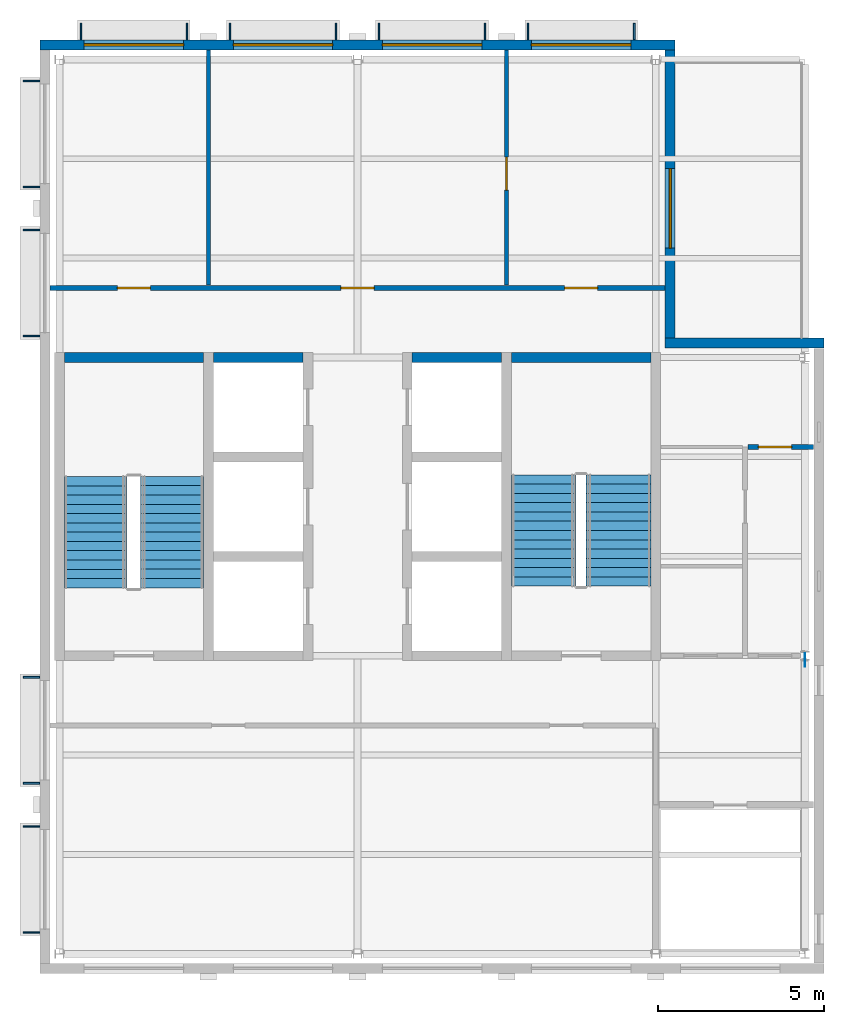
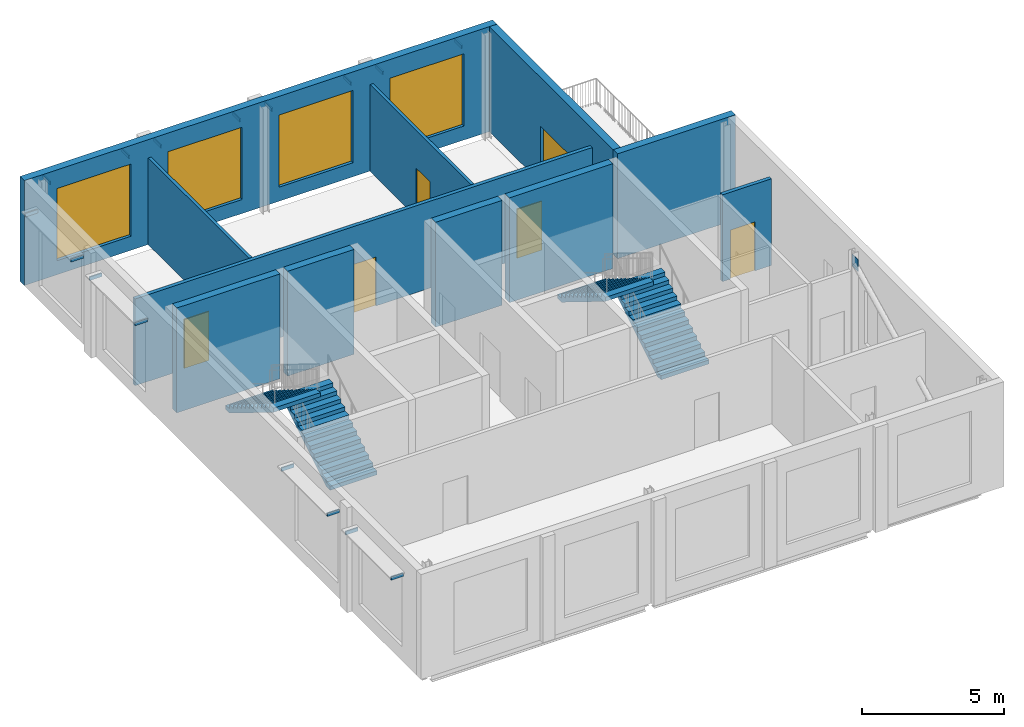
# One storey, part 3 of 5: 18 discrete accessories, 11 walls, 6 doors, 4 stair flights, 4 windows, 10 openings, 2 elements without a shape of their own.
"""IFC4 building model written with IfcOpenShell, lengths in metres."""

from ifc_helpers import new_model, si_unit, direction, frame, frame_2d, origin, origin_2d, place, context, subcontext, project, spatial, polyline, rectangle, outline, extrude, material, layer, layer_set, type_object, element, fill, aggregate, save


model = new_model("IFC4")

# Units and contexts
model_context = context("Model", 3, precision=1e-05, world=origin(), true_north=direction((0.0, 1.0)))
body_context = subcontext(model_context, "Body", "Model", "MODEL_VIEW")
ifc_project = project(units=[si_unit("LENGTHUNIT", "METRE"), si_unit("AREAUNIT", "SQUARE_METRE"), si_unit("VOLUMEUNIT", "CUBIC_METRE"), si_unit("PLANEANGLEUNIT", "RADIAN"), si_unit("MASSUNIT", "GRAM", prefix="KILO")], contexts=[model_context])

# Site, building, storey
site_placement = place(None, origin())
site = spatial("IfcSite", under=ifc_project, at=site_placement, CompositionType="ELEMENT")
building_placement = place(site_placement, origin())
building = spatial("IfcBuilding", under=site, at=building_placement, Name="Hortulan Conservatory and Botanical Research Centre", CompositionType="ELEMENT")
storey_placement = place(building_placement, frame((0.0, 0.0, 65.39990234375)))
storey = spatial("IfcBuildingStorey", under=building, at=storey_placement, Name="L15", CompositionType="ELEMENT", Elevation=65.39990234375)

# Walls
ifc_material_1 = material(Name="Concrete N40 (40 MPa, AS 3600)", Category="concrete")
ifc_layer_1 = layer(ifc_material_1, 0.300048828125)
ifc_layer_set_1 = layer_set([ifc_layer_1], Name="Core Wall 300 N40 FRL 240/120/120")
wall_type_1 = type_object("IfcWallType", Name="Core Wall 300 N40 FRL 240/120/120", PredefinedType="SHEAR", material=ifc_layer_set_1)
wall_1_placement = place(storey_placement, frame((9.14990234375, 18.0, 0.0), z_axis=(0.0, 0.0, 1.0), x_axis=(1.0, 0.0, 0.0)))
element("IfcWall", 1, at=wall_1_placement, inside=storey, type_object=wall_type_1, Name="Reinforced concrete shaft wall", PredefinedType="SHEAR", context=body_context, shape_type="SweptSolid", body=[
    extrude(rectangle(XDim=4.2001953125, YDim=0.300048828125, at=frame_2d((2.10009765625, 0.0))), origin(), (0.0, 0.0, 1.0), 4.5),
])
for number, where, z_axis, x_axis, name in (
    (2, (13.64990234375, 18.0, 0.0), (0.0, 0.0, 1.0), (1.0, 0.0, 0.0), "Reinforced concrete shaft wall"),
    (3, (19.64990234375, 18.0, 0.0), (0.0, 0.0, 1.0), (1.0, 0.0, 0.0), "Reinforced concrete shaft wall"),
):
    element("IfcWall", number, at=place(storey_placement, frame(where, z_axis=z_axis, x_axis=x_axis)), inside=storey, type_object=wall_type_1, Name=name, PredefinedType="SHEAR", context=body_context, shape_type="SweptSolid", body=[
        extrude(rectangle(XDim=2.7001953125, YDim=0.300048828125, at=frame_2d((1.35009765625, 0.0))), origin(), (0.0, 0.0, 1.0), 4.5),
    ])
wall_2_placement = place(storey_placement, frame((22.64990234375, 18.0, 0.0), z_axis=(0.0, 0.0, 1.0), x_axis=(1.0, 0.0, 0.0)))
element("IfcWall", 4, at=wall_2_placement, inside=storey, type_object=wall_type_1, Name="Reinforced concrete shaft wall", PredefinedType="SHEAR", context=body_context, shape_type="SweptSolid", body=[
    extrude(rectangle(XDim=4.2001953125, YDim=0.300048828125, at=frame_2d((2.10009765625, 0.0))), origin(), (0.0, 0.0, 1.0), 4.5),
])

# Wall, openings, doors
ifc_material_2 = material(Name="Plasterboard on steel studs", Category="steel")
ifc_layer_2 = layer(ifc_material_2, 0.14990234375)
ifc_layer_set_2 = layer_set([ifc_layer_2], Name="Corridor Partition 150")
wall_type_2 = type_object("IfcWallType", Name="Corridor Partition 150", PredefinedType="PARTITIONING", material=ifc_layer_set_2)
wall_3_placement = place(storey_placement, frame((8.72412109375, 20.10009765625, 0.0), z_axis=(0.0, 0.0, 1.0), x_axis=(1.0, 0.0, 0.0)))
wall_3 = element("IfcWall", 5, at=wall_3_placement, inside=storey, type_object=wall_type_2, Name="Corridor partition", PredefinedType="PARTITIONING", context=body_context, shape_type="SweptSolid", body=[
    extrude(rectangle(XDim=18.5517578125, YDim=0.14990234375, at=frame_2d((9.27587890625, 0.0))), origin(), (0.0, 0.0, 1.0), 3.72314453125),
])
opening_1_placement = place(wall_3_placement, frame((2.02587890625, 0.0, 0.0)))
opening_1 = element("IfcOpeningElement", 6, at=opening_1_placement, cuts=wall_3, Name="Opening DT1", PredefinedType="OPENING", context=body_context, shape_type="SweptSolid", body=[
    extrude(rectangle(XDim=1.0, YDim=2.10009765625, at=frame_2d((0.5, 1.050048828125))), frame((0.0, 0.0849609375, 0.0), z_axis=(0.0, -1.0, 0.0), x_axis=(1.0, 0.0, 0.0)), (0.0, 0.0, 1.0), 0.169921875),
])
opening_2_placement = place(wall_3_placement, frame((8.77587890625, 0.0, 0.0)))
opening_2 = element("IfcOpeningElement", 7, at=opening_2_placement, cuts=wall_3, Name="Opening DT1", PredefinedType="OPENING", context=body_context, shape_type="SweptSolid", body=[
    extrude(rectangle(XDim=1.0, YDim=2.10009765625, at=frame_2d((0.5, 1.050048828125))), frame((0.0, 0.0849609375, 0.0), z_axis=(0.0, -1.0, 0.0), x_axis=(1.0, 0.0, 0.0)), (0.0, 0.0, 1.0), 0.169921875),
])
opening_3_placement = place(wall_3_placement, frame((15.52587890625, 0.0, 0.0)))
opening_3 = element("IfcOpeningElement", 8, at=opening_3_placement, cuts=wall_3, Name="Opening DT1", PredefinedType="OPENING", context=body_context, shape_type="SweptSolid", body=[
    extrude(rectangle(XDim=1.0, YDim=2.10009765625, at=frame_2d((0.5, 1.050048828125))), frame((0.0, 0.0849609375, 0.0), z_axis=(0.0, -1.0, 0.0), x_axis=(1.0, 0.0, 0.0)), (0.0, 0.0, 1.0), 0.169921875),
])
ifc_material_3 = material(Name="Timber door leaf in timber frame", Category="wood")
door_type_1 = type_object("IfcDoorType", Name="Single Door 1000x2100", OperationType="NOTDEFINED", PredefinedType="DOOR", material=ifc_material_3)
door_1_placement = place(opening_1_placement, origin())
door_1 = element("IfcDoor", 9, at=door_1_placement, inside=storey, type_object=door_type_1, Name="Door DT1 Dry Store and Coolroom", OperationType="SINGLE_SWING_LEFT", OverallHeight=2.10009765625, OverallWidth=1.0, PredefinedType="DOOR", context=body_context, shape_type="SweptSolid", body=[
    extrude(rectangle(XDim=1.0, YDim=2.10009765625, at=frame_2d((0.5, 1.050048828125))), frame((0.0, 0.02490234375, 0.0), z_axis=(0.0, -1.0, 0.0), x_axis=(1.0, 0.0, 0.0)), (0.0, 0.0, 1.0), 0.050048828125),
])
fill(opening_1, door_1)
door_2_placement = place(opening_2_placement, origin())
door_2 = element("IfcDoor", 10, at=door_2_placement, inside=storey, type_object=door_type_1, Name="Door DT1 Sky Cafe", OperationType="SINGLE_SWING_RIGHT", OverallHeight=2.10009765625, OverallWidth=1.0, PredefinedType="DOOR", context=body_context, shape_type="SweptSolid", body=[
    extrude(rectangle(XDim=1.0, YDim=2.10009765625, at=frame_2d((0.5, 1.050048828125))), frame((0.0, 0.02490234375, 0.0), z_axis=(0.0, -1.0, 0.0), x_axis=(1.0, 0.0, 0.0)), (0.0, 0.0, 1.0), 0.050048828125),
])
fill(opening_2, door_2)
door_3_placement = place(opening_3_placement, origin())
door_3 = element("IfcDoor", 11, at=door_3_placement, inside=storey, type_object=door_type_1, Name="Door DT1 Cafe Kitchen and Servery", OperationType="SINGLE_SWING_LEFT", OverallHeight=2.10009765625, OverallWidth=1.0, PredefinedType="DOOR", context=body_context, shape_type="SweptSolid", body=[
    extrude(rectangle(XDim=1.0, YDim=2.10009765625, at=frame_2d((0.5, 1.050048828125))), frame((0.0, 0.02490234375, 0.0), z_axis=(0.0, -1.0, 0.0), x_axis=(1.0, 0.0, 0.0)), (0.0, 0.0, 1.0), 0.050048828125),
])
fill(opening_3, door_3)

# Wall, opening, door
ifc_material_4 = material(Name="Fire-rated plasterboard on steel studs", Category="steel")
ifc_layer_3 = layer(ifc_material_4, 0.14990234375)
ifc_layer_set_3 = layer_set([ifc_layer_3], Name="Lobby Partition 150")
wall_type_3 = type_object("IfcWallType", Name="Lobby Partition 150", PredefinedType="PARTITIONING", material=ifc_layer_set_3)
wall_4_placement = place(storey_placement, frame((29.784912109375, 15.300048828125, 0.0), z_axis=(0.0, 0.0, 1.0), x_axis=(1.0, 0.0, 0.0)))
wall_4 = element("IfcWall", 12, at=wall_4_placement, inside=storey, type_object=wall_type_3, Name="Lobby partition", PredefinedType="PARTITIONING", context=body_context, shape_type="SweptSolid", body=[
    extrude(rectangle(XDim=1.97998046875, YDim=0.14990234375, at=frame_2d((0.989990234375, 0.0))), origin(), (0.0, 0.0, 1.0), 3.72314453125),
])
opening_4_placement = place(wall_4_placement, frame((0.31494140625, 0.0, 0.0)))
opening_4 = element("IfcOpeningElement", 13, at=opening_4_placement, cuts=wall_4, Name="Opening DT4", PredefinedType="OPENING", context=body_context, shape_type="SweptSolid", body=[
    extrude(rectangle(XDim=1.0, YDim=2.10009765625, at=frame_2d((0.5, 1.050048828125))), frame((0.0, 0.0849609375, 0.0), z_axis=(0.0, -1.0, 0.0), x_axis=(1.0, 0.0, 0.0)), (0.0, 0.0, 1.0), 0.169921875),
])
ifc_material_5 = material(Name="Steel door leaf, insulated", Category="steel")
door_type_2 = type_object("IfcDoorType", Name="Fire Door 1000x2100 FRL -/60/30", OperationType="NOTDEFINED", PredefinedType="DOOR", material=ifc_material_5)
door_4_placement = place(opening_4_placement, origin())
door_4 = element("IfcDoor", 14, at=door_4_placement, inside=storey, type_object=door_type_2, Name="Door DT4 Men's WC", OperationType="SINGLE_SWING_RIGHT", OverallHeight=2.10009765625, OverallWidth=1.0, PredefinedType="DOOR", context=body_context, shape_type="SweptSolid", body=[
    extrude(rectangle(XDim=1.0, YDim=2.10009765625, at=frame_2d((0.5, 1.050048828125))), frame((0.0, 0.02490234375, 0.0), z_axis=(0.0, -1.0, 0.0), x_axis=(1.0, 0.0, 0.0)), (0.0, 0.0, 1.0), 0.050048828125),
])
fill(opening_4, door_4)

# Wall
ifc_layer_4 = layer(ifc_material_2, 0.125)
ifc_layer_set_4 = layer_set([ifc_layer_4], Name="Partition 125")
wall_type_4 = type_object("IfcWallType", Name="Partition 125", PredefinedType="PARTITIONING", material=ifc_layer_set_4)
wall_5_placement = place(storey_placement, frame((13.5, 20.18505859375, 0.0), z_axis=(0.0, 0.0, 1.0), x_axis=(0.0, 1.0, 0.0)))
element("IfcWall", 15, at=wall_5_placement, inside=storey, type_object=wall_type_4, Name="Partition", PredefinedType="PARTITIONING", context=body_context, shape_type="SweptSolid", body=[
    extrude(rectangle(XDim=7.0908203125, YDim=0.125, at=frame_2d((3.54541015625, 0.0))), origin(), (0.0, 0.0, 1.0), 3.72314453125),
])

# Wall, opening, door
wall_6_placement = place(storey_placement, frame((22.5, 20.18505859375, 0.0), z_axis=(0.0, 0.0, 1.0), x_axis=(0.0, 1.0, 0.0)))
wall_6 = element("IfcWall", 16, at=wall_6_placement, inside=storey, type_object=wall_type_4, Name="Partition", PredefinedType="PARTITIONING", context=body_context, shape_type="SweptSolid", body=[
    extrude(rectangle(XDim=7.0908203125, YDim=0.125, at=frame_2d((3.54541015625, 0.0))), origin(), (0.0, 0.0, 1.0), 3.72314453125),
])
opening_5_placement = place(wall_6_placement, frame((2.864990234375, 0.0, 0.0)))
opening_5 = element("IfcOpeningElement", 17, at=opening_5_placement, cuts=wall_6, Name="Opening DT1", PredefinedType="OPENING", context=body_context, shape_type="SweptSolid", body=[
    extrude(rectangle(XDim=1.0, YDim=2.10009765625, at=frame_2d((0.5, 1.050048828125))), frame((0.0, 0.072509765625, 0.0), z_axis=(0.0, -1.0, 0.0), x_axis=(1.0, 0.0, 0.0)), (0.0, 0.0, 1.0), 0.14501953125),
])
door_5_placement = place(opening_5_placement, frame((1.0, 0.0, 0.0), z_axis=(0.0, 0.0, 1.0), x_axis=(-1.0, 0.0, 0.0)))
door_5 = element("IfcDoor", 18, at=door_5_placement, inside=storey, type_object=door_type_1, Name="Door DT1 Cafe Kitchen and Servery", OperationType="SINGLE_SWING_LEFT", OverallHeight=2.10009765625, OverallWidth=1.0, PredefinedType="DOOR", context=body_context, shape_type="SweptSolid", body=[
    extrude(rectangle(XDim=1.0, YDim=2.10009765625, at=frame_2d((0.5, 1.050048828125))), frame((0.0, 0.02490234375, 0.0), z_axis=(0.0, -1.0, 0.0), x_axis=(1.0, 0.0, 0.0)), (0.0, 0.0, 1.0), 0.050048828125),
])
fill(opening_5, door_5)

# Wall, openings, windows
ifc_material_6 = material(Name="Verdigris copper-green zinc cladding on lightweight framing", Category="metal")
ifc_layer_5 = layer(ifc_material_6, 0.300048828125)
ifc_layer_set_5 = layer_set([ifc_layer_5], Name="Verdigris Zinc Clad Wall 300")
wall_type_5 = type_object("IfcWallType", Name="Verdigris Zinc Clad Wall 300", PredefinedType="STANDARD", material=ifc_layer_set_5)
wall_7_placement = place(storey_placement, frame((8.4140625, 27.43603515625, 0.0), z_axis=(0.0, 0.0, 1.0), x_axis=(1.0, 0.0, 0.0)))
wall_7 = element("IfcWall", 19, at=wall_7_placement, inside=storey, type_object=wall_type_5, Name="E-EW-TW-L15-N3", PredefinedType="STANDARD", context=body_context, shape_type="SweptSolid", body=[
    extrude(rectangle(XDim=19.171875, YDim=0.300048828125, at=frame_2d((9.5859375, 0.0))), origin(), (0.0, 0.0, 1.0), 4.5),
])
opening_6_placement = place(wall_7_placement, frame((1.3359375, 0.0, 0.60009765625)))
opening_6 = element("IfcOpeningElement", 20, at=opening_6_placement, cuts=wall_7, Name="Opening W8", PredefinedType="OPENING", context=body_context, shape_type="SweptSolid", body=[
    extrude(rectangle(XDim=3.0, YDim=3.10009765625, at=frame_2d((1.5, 1.550048828125))), frame((0.0, 0.159912109375, 0.0), z_axis=(0.0, -1.0, 0.0), x_axis=(1.0, 0.0, 0.0)), (0.0, 0.0, 1.0), 0.320068359375),
])
opening_7_placement = place(wall_7_placement, frame((5.8359375, 0.0, 0.60009765625)))
opening_7 = element("IfcOpeningElement", 21, at=opening_7_placement, cuts=wall_7, Name="Opening W8", PredefinedType="OPENING", context=body_context, shape_type="SweptSolid", body=[
    extrude(rectangle(XDim=3.0, YDim=3.10009765625, at=frame_2d((1.5, 1.550048828125))), frame((0.0, 0.159912109375, 0.0), z_axis=(0.0, -1.0, 0.0), x_axis=(1.0, 0.0, 0.0)), (0.0, 0.0, 1.0), 0.320068359375),
])
opening_8_placement = place(wall_7_placement, frame((10.3359375, 0.0, 0.60009765625)))
opening_8 = element("IfcOpeningElement", 22, at=opening_8_placement, cuts=wall_7, Name="Opening W8", PredefinedType="OPENING", context=body_context, shape_type="SweptSolid", body=[
    extrude(rectangle(XDim=3.0, YDim=3.10009765625, at=frame_2d((1.5, 1.550048828125))), frame((0.0, 0.159912109375, 0.0), z_axis=(0.0, -1.0, 0.0), x_axis=(1.0, 0.0, 0.0)), (0.0, 0.0, 1.0), 0.320068359375),
])
opening_9_placement = place(wall_7_placement, frame((14.8359375, 0.0, 0.60009765625)))
opening_9 = element("IfcOpeningElement", 23, at=opening_9_placement, cuts=wall_7, Name="Opening W8", PredefinedType="OPENING", context=body_context, shape_type="SweptSolid", body=[
    extrude(rectangle(XDim=3.0, YDim=3.10009765625, at=frame_2d((1.5, 1.550048828125))), frame((0.0, 0.159912109375, 0.0), z_axis=(0.0, -1.0, 0.0), x_axis=(1.0, 0.0, 0.0)), (0.0, 0.0, 1.0), 0.320068359375),
])
ifc_material_7 = material(Name="Bronze-finished aluminium frame with low-e laminated double glazing", Category="aluminium")
window_type = type_object("IfcWindowType", Name="Attic Window 3000x3100", PartitioningType="SINGLE_PANEL", PredefinedType="WINDOW", material=ifc_material_7)
window_1_placement = place(opening_6_placement, origin())
window_1 = element("IfcWindow", 24, at=window_1_placement, inside=storey, type_object=window_type, Name="Attic window", OverallHeight=3.10009765625, OverallWidth=3.0, PartitioningType="SINGLE_PANEL", PredefinedType="WINDOW", context=body_context, shape_type="SweptSolid", body=[
    extrude(rectangle(XDim=3.0, YDim=3.10009765625, at=frame_2d((1.5, 1.550048828125))), frame((0.0, 0.030029296875, 0.0), z_axis=(0.0, -1.0, 0.0), x_axis=(1.0, 0.0, 0.0)), (0.0, 0.0, 1.0), 0.06005859375),
])
fill(opening_6, window_1)
window_2_placement = place(opening_7_placement, origin())
window_2 = element("IfcWindow", 25, at=window_2_placement, inside=storey, type_object=window_type, Name="Attic window", OverallHeight=3.10009765625, OverallWidth=3.0, PartitioningType="SINGLE_PANEL", PredefinedType="WINDOW", context=body_context, shape_type="SweptSolid", body=[
    extrude(rectangle(XDim=3.0, YDim=3.10009765625, at=frame_2d((1.5, 1.550048828125))), frame((0.0, 0.030029296875, 0.0), z_axis=(0.0, -1.0, 0.0), x_axis=(1.0, 0.0, 0.0)), (0.0, 0.0, 1.0), 0.06005859375),
])
fill(opening_7, window_2)
window_3_placement = place(opening_8_placement, origin())
window_3 = element("IfcWindow", 26, at=window_3_placement, inside=storey, type_object=window_type, Name="Attic window", OverallHeight=3.10009765625, OverallWidth=3.0, PartitioningType="SINGLE_PANEL", PredefinedType="WINDOW", context=body_context, shape_type="SweptSolid", body=[
    extrude(rectangle(XDim=3.0, YDim=3.10009765625, at=frame_2d((1.5, 1.550048828125))), frame((0.0, 0.030029296875, 0.0), z_axis=(0.0, -1.0, 0.0), x_axis=(1.0, 0.0, 0.0)), (0.0, 0.0, 1.0), 0.06005859375),
])
fill(opening_8, window_3)
window_4_placement = place(opening_9_placement, origin())
window_4 = element("IfcWindow", 27, at=window_4_placement, inside=storey, type_object=window_type, Name="Attic window", OverallHeight=3.10009765625, OverallWidth=3.0, PartitioningType="SINGLE_PANEL", PredefinedType="WINDOW", context=body_context, shape_type="SweptSolid", body=[
    extrude(rectangle(XDim=3.0, YDim=3.10009765625, at=frame_2d((1.5, 1.550048828125))), frame((0.0, 0.030029296875, 0.0), z_axis=(0.0, -1.0, 0.0), x_axis=(1.0, 0.0, 0.0)), (0.0, 0.0, 1.0), 0.06005859375),
])
fill(opening_9, window_4)

# Wall, opening, door
wall_8_placement = place(storey_placement, frame((27.43603515625, 27.285888671875, 0.0), z_axis=(0.0, 0.0, 1.0), x_axis=(0.0, -1.0, 0.0)))
wall_8 = element("IfcWall", 28, at=wall_8_placement, inside=storey, type_object=wall_type_5, Name="E-EW-TW-L15-E4", PredefinedType="STANDARD", context=body_context, shape_type="SweptSolid", body=[
    extrude(rectangle(XDim=8.699951171875, YDim=0.300048828125, at=frame_2d((4.35009765625, 0.0))), origin(), (0.0, 0.0, 1.0), 4.5),
])
opening_10_placement = place(wall_8_placement, frame((3.5859375, 0.0, 0.011962890625)))
opening_10 = element("IfcOpeningElement", 29, at=opening_10_placement, cuts=wall_8, Name="Opening ED6", PredefinedType="OPENING", context=body_context, shape_type="SweptSolid", body=[
    extrude(rectangle(XDim=2.39990234375, YDim=2.39990234375, at=frame_2d((1.199951171875, 1.199951171875))), frame((0.0, 0.159912109375, 0.0), z_axis=(0.0, -1.0, 0.0), x_axis=(1.0, 0.0, 0.0)), (0.0, 0.0, 1.0), 0.320068359375),
])
ifc_material_8 = material(Name="Bronze and toughened laminated glass", Category="glass")
door_type_3 = type_object("IfcDoorType", Name="Terrace Door Pair 2400x2400", OperationType="DOUBLE_DOOR_DOUBLE_SWING", PredefinedType="DOOR", material=ifc_material_8)
door_6_placement = place(opening_10_placement, origin())
door_6 = element("IfcDoor", 30, at=door_6_placement, inside=storey, type_object=door_type_3, Name="Terrace door", OperationType="DOUBLE_DOOR_DOUBLE_SWING", OverallHeight=2.39990234375, OverallWidth=2.39990234375, PredefinedType="DOOR", context=body_context, shape_type="SweptSolid", body=[
    extrude(rectangle(XDim=2.39990234375, YDim=2.39990234375, at=frame_2d((1.199951171875, 1.199951171875))), frame((0.0, 0.02490234375, 0.0), z_axis=(0.0, -1.0, 0.0), x_axis=(1.0, 0.0, 0.0)), (0.0, 0.0, 1.0), 0.050048828125),
])
fill(opening_10, door_6)

# Wall
wall_9_placement = place(storey_placement, frame((27.285888671875, 18.43603515625, 0.0), z_axis=(0.0, 0.0, 1.0), x_axis=(1.0, 0.0, 0.0)))
element("IfcWall", 31, at=wall_9_placement, inside=storey, type_object=wall_type_5, Name="E-EW-TW-L15-N5", PredefinedType="STANDARD", context=body_context, shape_type="SweptSolid", body=[
    extrude(rectangle(XDim=4.7890625, YDim=0.300048828125, at=frame_2d((2.39453125, 0.0))), origin(), (0.0, 0.0, 1.0), 4.5),
])

# Stair, stair flights
stair_type_1 = type_object("IfcStairType", Name="Concrete Escape Stair 1900", PredefinedType="HALF_TURN_STAIR", material=ifc_material_1)
stair_1_placement = place(storey_placement, origin())
stair_1 = element("IfcStair", 32, at=stair_1_placement, inside=storey, type_object=stair_type_1, Name="Stair T1 L15", PredefinedType="HALF_TURN_STAIR")
ifc_layer_6 = layer(ifc_material_1, 0.14990234375)
ifc_layer_set_6 = layer_set([ifc_layer_6], Name="Stair Flight 1900 wide, riser 173")
stair_flight_type_1 = type_object("IfcStairFlightType", Name="Stair Flight 1900 wide, riser 173", PredefinedType="STRAIGHT", material=ifc_layer_set_6)
stair_flight_1_placement = place(storey_placement, frame((12.39990234375, 11.050048828125, 0.0), z_axis=(0.0, 0.0, 1.0), x_axis=(0.0, 1.0, 0.0)))
stair_flight_1 = element("IfcStairFlight", 33, at=stair_flight_1_placement, type_object=stair_flight_type_1, Name="Stair T1 L15 flight 1", NumberOfRisers=13, NumberOfTreads=12, PredefinedType="STRAIGHT", RiserHeight=0.173076923, TreadLength=0.28, context=body_context, shape_type="SweptSolid", body=[
    extrude(outline(polyline([(0.0, 0.0), (0.0, 0.173095703125), (0.280029296875, 0.173095703125), (0.280029296875, 0.34619140625), (0.56005859375, 0.34619140625), (0.56005859375, 0.519287109375), (0.840087890625, 0.519287109375), (0.840087890625, 0.6923828125), (1.1201171875, 0.6923828125), (1.1201171875, 0.865478515625), (1.39990234375, 0.865478515625), (1.39990234375, 1.03857421875), (1.679931640625, 1.03857421875), (1.679931640625, 1.21142578125), (1.9599609375, 1.21142578125), (1.9599609375, 1.384521484375), (2.239990234375, 1.384521484375), (2.239990234375, 1.5576171875), (2.52001953125, 1.5576171875), (2.52001953125, 1.730712890625), (2.800048828125, 1.730712890625), (2.800048828125, 1.90380859375), (3.080078125, 1.90380859375), (3.080078125, 2.076904296875), (3.360107421875, 2.076904296875), (3.360107421875, 2.25), (3.360107421875, 1.900634765625), (0.28515625, 0.0), (0.0, 0.0)])), frame((0.0, 0.949951171875, 0.0), z_axis=(0.0, -1.0, 0.0), x_axis=(1.0, 0.0, 0.0)), (0.0, 0.0, 1.0), 1.89990234375),
])
stair_flight_2_placement = place(storey_placement, frame((10.10009765625, 14.409912109375, 2.25), z_axis=(0.0, 0.0, 1.0), x_axis=(0.0, -1.0, 0.0)))
stair_flight_2 = element("IfcStairFlight", 34, at=stair_flight_2_placement, type_object=stair_flight_type_1, Name="Stair T1 L15 flight 2", NumberOfRisers=13, NumberOfTreads=12, PredefinedType="STRAIGHT", RiserHeight=0.173076923, TreadLength=0.28, context=body_context, shape_type="SweptSolid", body=[
    extrude(outline(polyline([(0.0, 0.0), (0.0, 0.173095703125), (0.280029296875, 0.173095703125), (0.280029296875, 0.34619140625), (0.56005859375, 0.34619140625), (0.56005859375, 0.519287109375), (0.840087890625, 0.519287109375), (0.840087890625, 0.6923828125), (1.1201171875, 0.6923828125), (1.1201171875, 0.865478515625), (1.39990234375, 0.865478515625), (1.39990234375, 1.03857421875), (1.679931640625, 1.03857421875), (1.679931640625, 1.21142578125), (1.9599609375, 1.21142578125), (1.9599609375, 1.384521484375), (2.239990234375, 1.384521484375), (2.239990234375, 1.5576171875), (2.52001953125, 1.5576171875), (2.52001953125, 1.730712890625), (2.800048828125, 1.730712890625), (2.800048828125, 1.90380859375), (3.080078125, 1.90380859375), (3.080078125, 2.076904296875), (3.360107421875, 2.076904296875), (3.360107421875, 2.25), (3.360107421875, 1.900634765625), (0.28515625, 0.0), (0.0, 0.0)])), frame((0.0, 0.949951171875, 0.0), z_axis=(0.0, -1.0, 0.0), x_axis=(1.0, 0.0, 0.0)), (0.0, 0.0, 1.0), 1.89990234375),
])
aggregate(stair_1, [stair_flight_1, stair_flight_2])

stair_type_2 = type_object("IfcStairType", Name="Concrete Escape Stair 1950", PredefinedType="HALF_TURN_STAIR", material=ifc_material_1)
stair_2_placement = place(storey_placement, origin())
stair_2 = element("IfcStair", 35, at=stair_2_placement, inside=storey, type_object=stair_type_2, Name="Stair T2 L15", PredefinedType="HALF_TURN_STAIR")
ifc_layer_7 = layer(ifc_material_1, 0.14990234375)
ifc_layer_set_7 = layer_set([ifc_layer_7], Name="Stair Flight 1950 wide, riser 173")
stair_flight_type_2 = type_object("IfcStairFlightType", Name="Stair Flight 1950 wide, riser 173", PredefinedType="STRAIGHT", material=ifc_layer_set_7)
stair_flight_3_placement = place(storey_placement, frame((25.875, 11.10009765625, 0.0), z_axis=(0.0, 0.0, 1.0), x_axis=(0.0, 1.0, 0.0)))
stair_flight_3 = element("IfcStairFlight", 36, at=stair_flight_3_placement, type_object=stair_flight_type_2, Name="Stair T2 L15 flight 1", NumberOfRisers=13, NumberOfTreads=12, PredefinedType="STRAIGHT", RiserHeight=0.173076923, TreadLength=0.28, context=body_context, shape_type="SweptSolid", body=[
    extrude(outline(polyline([(0.0, 0.0), (0.0, 0.173095703125), (0.280029296875, 0.173095703125), (0.280029296875, 0.34619140625), (0.56005859375, 0.34619140625), (0.56005859375, 0.519287109375), (0.840087890625, 0.519287109375), (0.840087890625, 0.6923828125), (1.1201171875, 0.6923828125), (1.1201171875, 0.865478515625), (1.39990234375, 0.865478515625), (1.39990234375, 1.03857421875), (1.679931640625, 1.03857421875), (1.679931640625, 1.21142578125), (1.9599609375, 1.21142578125), (1.9599609375, 1.384521484375), (2.239990234375, 1.384521484375), (2.239990234375, 1.5576171875), (2.52001953125, 1.5576171875), (2.52001953125, 1.730712890625), (2.800048828125, 1.730712890625), (2.800048828125, 1.90380859375), (3.080078125, 1.90380859375), (3.080078125, 2.076904296875), (3.360107421875, 2.076904296875), (3.360107421875, 2.25), (3.360107421875, 1.900634765625), (0.28515625, 0.0), (0.0, 0.0)])), frame((0.0, 0.97509765625, 0.0), z_axis=(0.0, -1.0, 0.0), x_axis=(1.0, 0.0, 0.0)), (0.0, 0.0, 1.0), 1.949951171875),
])
stair_flight_4_placement = place(storey_placement, frame((23.625, 14.4599609375, 2.25), z_axis=(0.0, 0.0, 1.0), x_axis=(0.0, -1.0, 0.0)))
stair_flight_4 = element("IfcStairFlight", 37, at=stair_flight_4_placement, type_object=stair_flight_type_2, Name="Stair T2 L15 flight 2", NumberOfRisers=13, NumberOfTreads=12, PredefinedType="STRAIGHT", RiserHeight=0.173076923, TreadLength=0.28, context=body_context, shape_type="SweptSolid", body=[
    extrude(outline(polyline([(0.0, 0.0), (0.0, 0.173095703125), (0.280029296875, 0.173095703125), (0.280029296875, 0.34619140625), (0.56005859375, 0.34619140625), (0.56005859375, 0.519287109375), (0.840087890625, 0.519287109375), (0.840087890625, 0.6923828125), (1.1201171875, 0.6923828125), (1.1201171875, 0.865478515625), (1.39990234375, 0.865478515625), (1.39990234375, 1.03857421875), (1.679931640625, 1.03857421875), (1.679931640625, 1.21142578125), (1.9599609375, 1.21142578125), (1.9599609375, 1.384521484375), (2.239990234375, 1.384521484375), (2.239990234375, 1.5576171875), (2.52001953125, 1.5576171875), (2.52001953125, 1.730712890625), (2.800048828125, 1.730712890625), (2.800048828125, 1.90380859375), (3.080078125, 1.90380859375), (3.080078125, 2.076904296875), (3.360107421875, 2.076904296875), (3.360107421875, 2.25), (3.360107421875, 1.900634765625), (0.28515625, 0.0), (0.0, 0.0)])), frame((0.0, 0.97509765625, 0.0), z_axis=(0.0, -1.0, 0.0), x_axis=(1.0, 0.0, 0.0)), (0.0, 0.0, 1.0), 1.949951171875),
])
aggregate(stair_2, [stair_flight_3, stair_flight_4])

# Discrete accessories
ifc_material_9 = material(Name="Bronze-charcoal painted wrought iron", Category="metal")
ifc_layer_8 = layer(ifc_material_9, 0.050048828125)
ifc_layer_set_8 = layer_set([ifc_layer_8], Name="Blade Bracket 50x500x150")
discrete_accessory_type_1 = type_object("IfcDiscreteAccessoryType", Name="Blade Bracket 50x500x150", PredefinedType="BRACKET", material=ifc_layer_set_8)
for number, where, z_axis, x_axis, name in (
    (38, (8.1640625, 0.64990234375, 3.7001953125), (0.0, 0.0, 1.0), (0.0, 1.0, 0.0), "Blade bracket"),
    (39, (8.1640625, 3.85009765625, 3.7001953125), (0.0, 0.0, 1.0), (0.0, 1.0, 0.0), "Blade bracket"),
    (40, (8.1640625, 5.14990234375, 3.7001953125), (0.0, 0.0, 1.0), (0.0, 1.0, 0.0), "Blade bracket"),
    (41, (8.1640625, 8.35009765625, 3.7001953125), (0.0, 0.0, 1.0), (0.0, 1.0, 0.0), "Blade bracket"),
    (42, (8.1640625, 18.64990234375, 3.7001953125), (0.0, 0.0, 1.0), (0.0, 1.0, 0.0), "Blade bracket"),
    (43, (8.1640625, 21.85009765625, 3.7001953125), (0.0, 0.0, 1.0), (0.0, 1.0, 0.0), "Blade bracket"),
    (44, (8.1640625, 23.14990234375, 3.7001953125), (0.0, 0.0, 1.0), (0.0, 1.0, 0.0), "Blade bracket"),
    (45, (8.1640625, 26.35009765625, 3.7001953125), (0.0, 0.0, 1.0), (0.0, 1.0, 0.0), "Blade bracket"),
    (46, (9.64990234375, 27.8359375, 3.7001953125), (0.0, 0.0, 1.0), (1.0, 0.0, 0.0), "Blade bracket"),
    (47, (12.85009765625, 27.8359375, 3.7001953125), (0.0, 0.0, 1.0), (1.0, 0.0, 0.0), "Blade bracket"),
    (48, (14.14990234375, 27.8359375, 3.7001953125), (0.0, 0.0, 1.0), (1.0, 0.0, 0.0), "Blade bracket"),
    (49, (17.35009765625, 27.8359375, 3.7001953125), (0.0, 0.0, 1.0), (1.0, 0.0, 0.0), "Blade bracket"),
    (50, (18.64990234375, 27.8359375, 3.7001953125), (0.0, 0.0, 1.0), (1.0, 0.0, 0.0), "Blade bracket"),
    (51, (21.85009765625, 27.8359375, 3.7001953125), (0.0, 0.0, 1.0), (1.0, 0.0, 0.0), "Blade bracket"),
    (52, (23.14990234375, 27.8359375, 3.7001953125), (0.0, 0.0, 1.0), (1.0, 0.0, 0.0), "Blade bracket"),
    (53, (26.35009765625, 27.8359375, 3.7001953125), (0.0, 0.0, 1.0), (1.0, 0.0, 0.0), "Blade bracket"),
):
    element("IfcDiscreteAccessory", number, at=place(storey_placement, frame(where, z_axis=z_axis, x_axis=x_axis)), inside=storey, type_object=discrete_accessory_type_1, Name=name, PredefinedType="BRACKET", context=body_context, shape_type="SweptSolid", body=[
        extrude(rectangle(XDim=0.050048828125, YDim=0.5, at=origin_2d()), origin(), (0.0, 0.0, 1.0), 0.14990234375),
    ])
ifc_material_10 = material(Name="Steel Grade 300 plate (AS/NZS 3678, 280 MPa minimum yield)", Category="steel")
discrete_accessory_type_2 = type_object("IfcDiscreteAccessoryType", Name="End Plate 400x16", PredefinedType="BRACKET", material=ifc_material_10)
for number, where, z_axis, x_axis, name in (
    (54, (31.5, 8.8701171875, 3.79931640625), (0.0, 0.0, 1.0), (0.0, -1.0, 0.0), "Brace end plate"),
    (55, (31.5, 8.8701171875, 3.929443359375), (0.0, 0.0, 1.0), (0.0, -1.0, 0.0), "Brace end plate"),
):
    element("IfcDiscreteAccessory", number, at=place(storey_placement, frame(where, z_axis=z_axis, x_axis=x_axis)), inside=storey, type_object=discrete_accessory_type_2, Name=name, PredefinedType="BRACKET", context=body_context, shape_type="SweptSolid", body=[
        extrude(rectangle(XDim=0.39990234375, YDim=0.01611328125, at=origin_2d()), origin(), (0.0, 0.0, 1.0), 0.39990234375),
    ])

save(model, "model.ifc")
